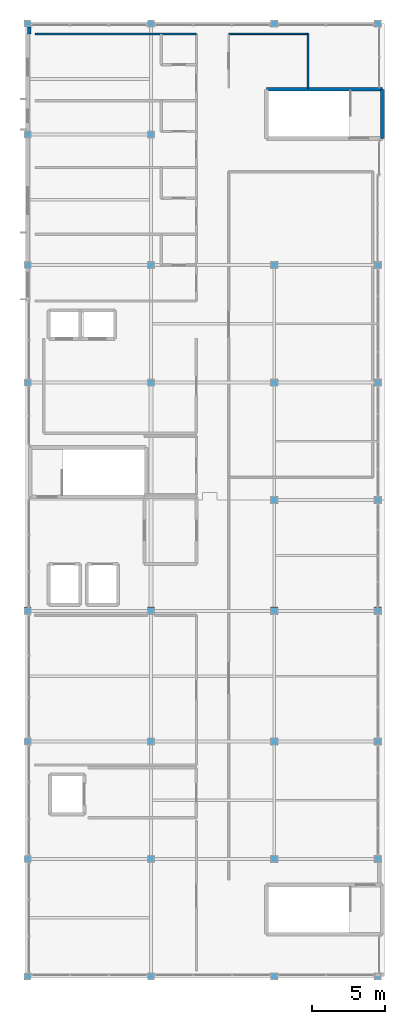
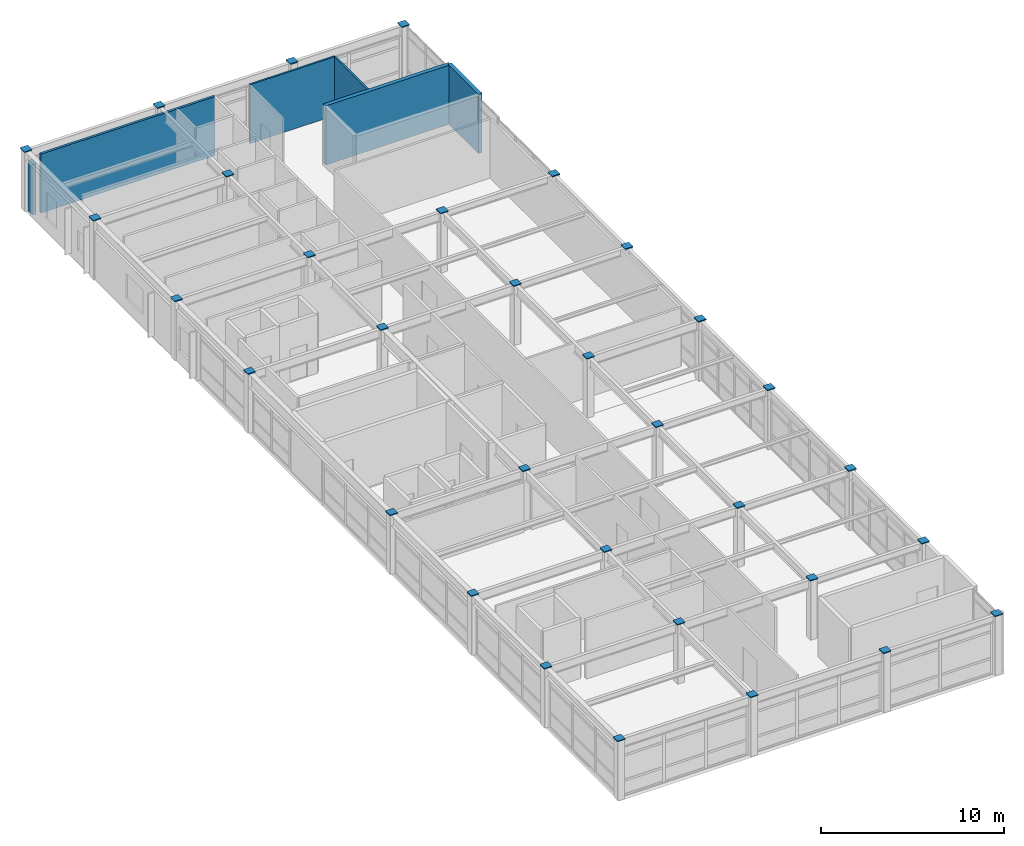
# One storey, part 33 of 34: 32 discrete accessories, 6 walls.
"""IFC4 building model written with IfcOpenShell, lengths in metres."""

from ifc_helpers import new_model, si_unit, direction, frame, frame_2d, origin, origin_2d, place, context, subcontext, project, spatial, rectangle, extrude, material, layer, layer_set, type_object, element, save


model = new_model("IFC4")

# Units and contexts
model_context = context("Model", 3, precision=1e-05, world=origin(), true_north=direction((0.0, 1.0)))
body_context = subcontext(model_context, "Body", "Model", "MODEL_VIEW")
ifc_project = project(units=[si_unit("LENGTHUNIT", "METRE"), si_unit("AREAUNIT", "SQUARE_METRE"), si_unit("VOLUMEUNIT", "CUBIC_METRE"), si_unit("PLANEANGLEUNIT", "RADIAN"), si_unit("MASSUNIT", "GRAM", prefix="KILO")], contexts=[model_context])

# Site, building, storey
site_placement = place(None, origin())
site = spatial("IfcSite", under=ifc_project, at=site_placement, CompositionType="ELEMENT")
building_placement = place(site_placement, origin())
building = spatial("IfcBuilding", under=site, at=building_placement, Name="Kazehara Bluff Congress Hotel", CompositionType="ELEMENT")
storey_placement = place(building_placement, frame((0.0, 0.0, 46.199951171875)))
storey = spatial("IfcBuildingStorey", under=building, at=storey_placement, Name="L11", CompositionType="ELEMENT", Elevation=46.199951171875)

# Walls
ifc_material_1 = material(Name="Concrete C40/50", Category="concrete")
ifc_layer_1 = layer(ifc_material_1, 0.25)
ifc_layer_set_1 = layer_set([ifc_layer_1], Name="Concrete C40/50")
wall_type_1 = type_object("IfcWallType", Name="TP-CW-RC", PredefinedType="SHEAR", material=ifc_layer_set_1)
wall_1_placement = place(storey_placement, frame((167.875, 76.425048828125, 0.0), z_axis=(0.0, 0.0, 1.0), x_axis=(0.0, -1.0, 0.0)))
element("IfcWall", 1, at=wall_1_placement, inside=storey, type_object=wall_type_1, Name="L11 ST-12 core wall near", PredefinedType="SHEAR", context=body_context, shape_type="SweptSolid", body=[
    extrude(rectangle(XDim=3.35009765625, YDim=0.25, at=frame_2d((1.675048828125, 0.0))), origin(), (0.0, 0.0, 1.0), 3.949951171875),
])
wall_2_placement = place(storey_placement, frame((159.97509765625, 76.425048828125, 0.0), z_axis=(0.0, 0.0, 1.0), x_axis=(1.0, 0.0, 0.0)))
element("IfcWall", 2, at=wall_2_placement, inside=storey, type_object=wall_type_1, Name="L11 ST-12 core wall left", PredefinedType="SHEAR", context=body_context, shape_type="SweptSolid", body=[
    extrude(rectangle(XDim=7.89990234375, YDim=0.25, at=frame_2d((3.949951171875, 0.0))), origin(), (0.0, 0.0, 1.0), 3.949951171875),
])
ifc_material_2 = material(Name="Precast concrete C40/50", Category="concrete")
ifc_layer_2 = layer(ifc_material_2, 0.239990234375)
ifc_layer_set_2 = layer_set([ifc_layer_2], Name="Precast concrete C40/50")
wall_type_2 = type_object("IfcWallType", Name="TP-EW-240", PredefinedType="SOLIDWALL", material=ifc_layer_set_2)
wall_3_placement = place(storey_placement, frame((143.800048828125, 80.199951171875, 0.0), z_axis=(0.0, 0.0, 1.0), x_axis=(0.0, 1.0, 0.0)))
element("IfcWall", 3, at=wall_3_placement, inside=storey, type_object=wall_type_2, Name="L11 V5 perimeter spandrel pier 761", PredefinedType="SOLIDWALL", context=body_context, shape_type="SweptSolid", body=[
    extrude(rectangle(XDim=0.47509765625, YDim=0.239990234375, at=frame_2d((0.237548828125, 0.0))), origin(), (0.0, 0.0, 1.0), 3.375),
])
ifc_material_3 = material(Name="Fire-rated gypsum board stud partition")
ifc_layer_3 = layer(ifc_material_3, 0.110107421875)
ifc_layer_set_3 = layer_set([ifc_layer_3], Name="Fire-rated gypsum board stud partition")
wall_type_3 = type_object("IfcWallType", Name="TP-PT-110", PredefinedType="PARTITIONING", material=ifc_layer_set_3)
wall_4_placement = place(storey_placement, frame((157.39990234375, 80.199951171875, 0.0), z_axis=(0.0, 0.0, 1.0), x_axis=(1.0, 0.0, 0.0)))
element("IfcWall", 4, at=wall_4_placement, inside=storey, type_object=wall_type_3, Name="L11 partition PT-110 1437", PredefinedType="PARTITIONING", context=body_context, shape_type="SweptSolid", body=[
    extrude(rectangle(XDim=5.400146484375, YDim=0.110107421875, at=frame_2d((2.7001953125, 0.0))), origin(), (0.0, 0.0, 1.0), 3.93505859375),
])
wall_5_placement = place(storey_placement, frame((162.800048828125, 76.5, 0.0), z_axis=(0.0, 0.0, 1.0), x_axis=(0.0, 1.0, 0.0)))
element("IfcWall", 5, at=wall_5_placement, inside=storey, type_object=wall_type_3, Name="L11 partition PT-110 1453", PredefinedType="PARTITIONING", context=body_context, shape_type="SweptSolid", body=[
    extrude(rectangle(XDim=3.699951171875, YDim=0.110107421875, at=frame_2d((1.85009765625, 0.0))), origin(), (0.0, 0.0, 1.0), 3.93505859375),
])
ifc_material_4 = material(Name="Fire-rated gypsum board stud partition")
ifc_layer_4 = layer(ifc_material_4, 0.14990234375)
ifc_layer_set_4 = layer_set([ifc_layer_4], Name="Fire-rated gypsum board stud partition")
wall_type_4 = type_object("IfcWallType", Name="TP-PT-150", PredefinedType="PARTITIONING", material=ifc_layer_set_4)
wall_6_placement = place(storey_placement, frame((144.199951171875, 80.199951171875, 0.0), z_axis=(0.0, 0.0, 1.0), x_axis=(1.0, 0.0, 0.0)))
element("IfcWall", 6, at=wall_6_placement, inside=storey, type_object=wall_type_4, Name="L11 partition PT-150 1436", PredefinedType="PARTITIONING", context=body_context, shape_type="SweptSolid", body=[
    extrude(rectangle(XDim=11.0, YDim=0.14990234375, at=frame_2d((5.5, 0.0))), origin(), (0.0, 0.0, 1.0), 3.93505859375),
])

# Discrete accessories
ifc_material_5 = material(Name="Steel SN490B", Category="steel")
ifc_layer_5 = layer(ifc_material_5, 0.06005859375)
ifc_layer_set_5 = layer_set([ifc_layer_5], Name="Steel SN490B")
discrete_accessory_type = type_object("IfcDiscreteAccessoryType", Name="TP-CAP-BLK", PredefinedType="BRACKET", material=ifc_layer_set_5)
for number, where, z_axis, x_axis, name in (
    (7, (143.699951171875, 16.0, 3.9599609375), (0.0, 0.0, 1.0), (1.0, 0.0, 0.0), "Hollow column welded cap plate L11 1439"),
    (8, (143.699951171875, 24.0, 3.9599609375), (0.0, 0.0, 1.0), (1.0, 0.0, 0.0), "Hollow column welded cap plate L11 1440"),
    (9, (143.699951171875, 32.0, 3.9599609375), (0.0, 0.0, 1.0), (1.0, 0.0, 0.0), "Hollow column welded cap plate L11 1441"),
    (10, (143.699951171875, 40.89990234375, 3.9599609375), (0.0, 0.0, 1.0), (1.0, 0.0, 0.0), "Hollow column welded cap plate L11 1442"),
    (11, (143.699951171875, 56.449951171875, 3.9599609375), (0.0, 0.0, 1.0), (1.0, 0.0, 0.0), "Hollow column welded cap plate L11 1443"),
    (12, (143.699951171875, 64.449951171875, 3.9599609375), (0.0, 0.0, 1.0), (1.0, 0.0, 0.0), "Hollow column welded cap plate L11 1444"),
    (13, (143.699951171875, 73.35009765625, 3.9599609375), (0.0, 0.0, 1.0), (1.0, 0.0, 0.0), "Hollow column welded cap plate L11 1445"),
    (14, (143.699951171875, 80.89990234375, 3.9599609375), (0.0, 0.0, 1.0), (1.0, 0.0, 0.0), "Hollow column welded cap plate L11 1446"),
    (15, (152.10009765625, 16.0, 3.9599609375), (0.0, 0.0, 1.0), (1.0, 0.0, 0.0), "Hollow column welded cap plate L11 1447"),
    (16, (152.10009765625, 24.0, 3.9599609375), (0.0, 0.0, 1.0), (1.0, 0.0, 0.0), "Hollow column welded cap plate L11 1448"),
    (17, (152.10009765625, 32.0, 3.9599609375), (0.0, 0.0, 1.0), (1.0, 0.0, 0.0), "Hollow column welded cap plate L11 1449"),
    (18, (152.10009765625, 40.89990234375, 3.9599609375), (0.0, 0.0, 1.0), (1.0, 0.0, 0.0), "Hollow column welded cap plate L11 1450"),
    (19, (152.10009765625, 56.449951171875, 3.9599609375), (0.0, 0.0, 1.0), (1.0, 0.0, 0.0), "Hollow column welded cap plate L11 1451"),
    (20, (152.10009765625, 64.449951171875, 3.9599609375), (0.0, 0.0, 1.0), (1.0, 0.0, 0.0), "Hollow column welded cap plate L11 1452"),
    (21, (152.10009765625, 73.35009765625, 3.9599609375), (0.0, 0.0, 1.0), (1.0, 0.0, 0.0), "Hollow column welded cap plate L11 1453"),
    (22, (152.10009765625, 80.89990234375, 3.9599609375), (0.0, 0.0, 1.0), (1.0, 0.0, 0.0), "Hollow column welded cap plate L11 1454"),
    (23, (160.5, 16.0, 3.9599609375), (0.0, 0.0, 1.0), (1.0, 0.0, 0.0), "Hollow column welded cap plate L11 1455"),
    (24, (160.5, 24.0, 3.9599609375), (0.0, 0.0, 1.0), (1.0, 0.0, 0.0), "Hollow column welded cap plate L11 1456"),
    (25, (160.5, 32.0, 3.9599609375), (0.0, 0.0, 1.0), (1.0, 0.0, 0.0), "Hollow column welded cap plate L11 1457"),
    (26, (160.5, 40.89990234375, 3.9599609375), (0.0, 0.0, 1.0), (1.0, 0.0, 0.0), "Hollow column welded cap plate L11 1458"),
    (27, (160.5, 48.449951171875, 3.9599609375), (0.0, 0.0, 1.0), (1.0, 0.0, 0.0), "Hollow column welded cap plate L11 1459"),
    (28, (160.5, 56.449951171875, 3.9599609375), (0.0, 0.0, 1.0), (1.0, 0.0, 0.0), "Hollow column welded cap plate L11 1460"),
    (29, (160.5, 64.449951171875, 3.9599609375), (0.0, 0.0, 1.0), (1.0, 0.0, 0.0), "Hollow column welded cap plate L11 1461"),
    (30, (160.5, 80.89990234375, 3.9599609375), (0.0, 0.0, 1.0), (1.0, 0.0, 0.0), "Hollow column welded cap plate L11 1462"),
    (31, (167.550048828125, 16.0, 3.9599609375), (0.0, 0.0, 1.0), (1.0, 0.0, 0.0), "Hollow column welded cap plate L11 1463"),
    (32, (167.550048828125, 24.0, 3.9599609375), (0.0, 0.0, 1.0), (1.0, 0.0, 0.0), "Hollow column welded cap plate L11 1464"),
    (33, (167.550048828125, 32.0, 3.9599609375), (0.0, 0.0, 1.0), (1.0, 0.0, 0.0), "Hollow column welded cap plate L11 1465"),
    (34, (167.550048828125, 40.89990234375, 3.9599609375), (0.0, 0.0, 1.0), (1.0, 0.0, 0.0), "Hollow column welded cap plate L11 1466"),
    (35, (167.550048828125, 48.449951171875, 3.9599609375), (0.0, 0.0, 1.0), (1.0, 0.0, 0.0), "Hollow column welded cap plate L11 1467"),
    (36, (167.550048828125, 56.449951171875, 3.9599609375), (0.0, 0.0, 1.0), (1.0, 0.0, 0.0), "Hollow column welded cap plate L11 1468"),
    (37, (167.550048828125, 64.449951171875, 3.9599609375), (0.0, 0.0, 1.0), (1.0, 0.0, 0.0), "Hollow column welded cap plate L11 1469"),
    (38, (167.550048828125, 80.89990234375, 3.9599609375), (0.0, 0.0, 1.0), (1.0, 0.0, 0.0), "Hollow column welded cap plate L11 1470"),
):
    element("IfcDiscreteAccessory", number, at=place(storey_placement, frame(where, z_axis=z_axis, x_axis=x_axis)), inside=storey, type_object=discrete_accessory_type, Name=name, PredefinedType="BRACKET", context=body_context, shape_type="SweptSolid", body=[
        extrude(rectangle(XDim=0.489990234375, YDim=0.489990234375, at=origin_2d()), origin(), (0.0, 0.0, 1.0), 0.06005859375),
    ])

save(model, "model.ifc")
